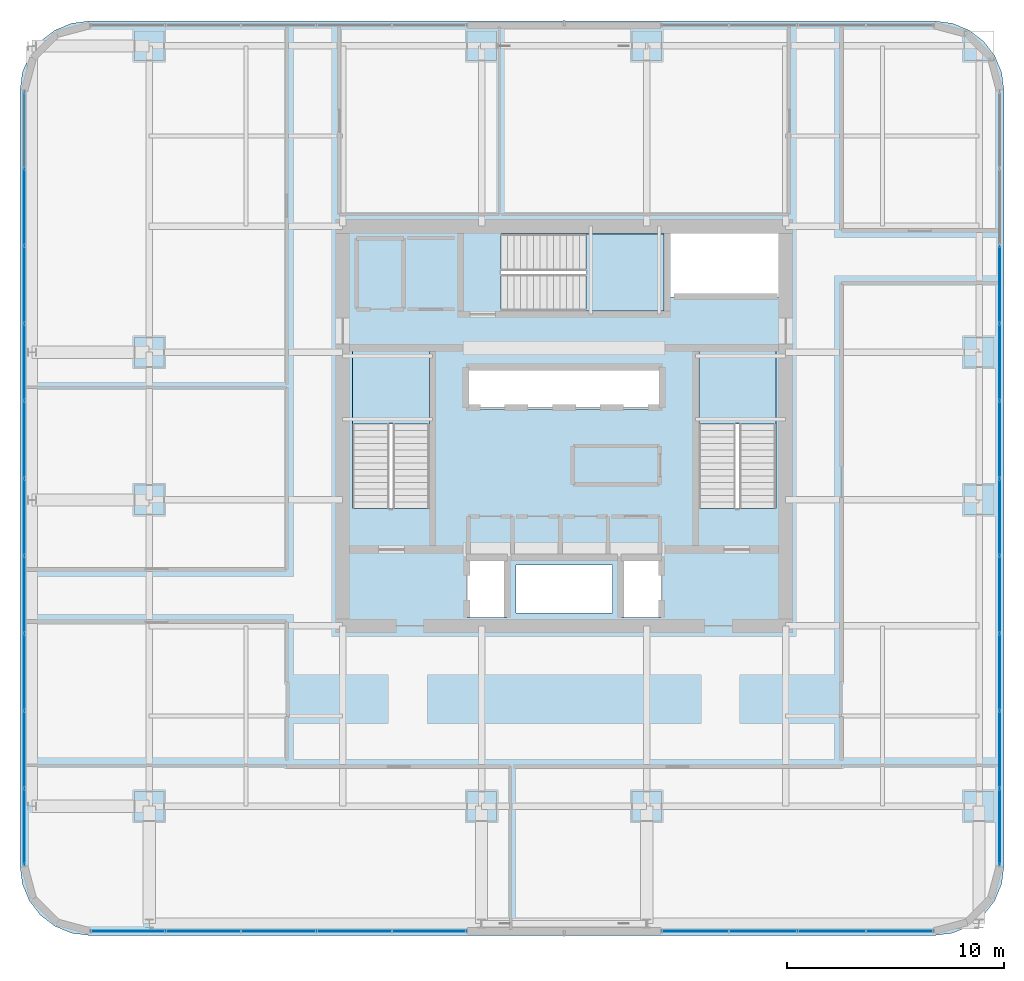
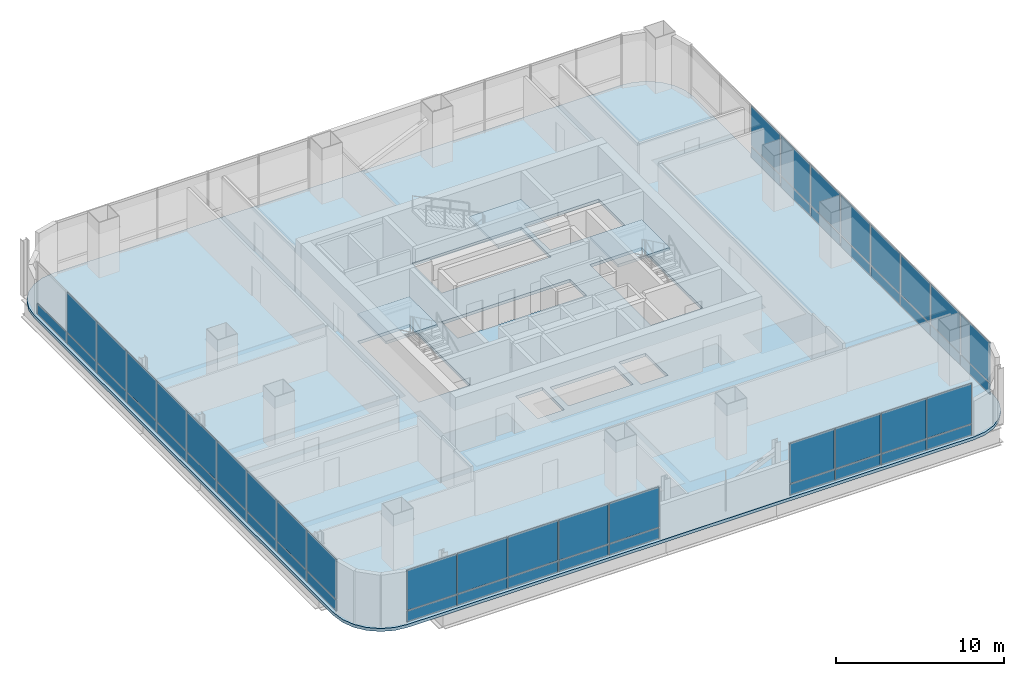
# One storey, part 25 of 38: 53 plates, 4 slabs, 7 elements without a shape of their own.
"""IFC4 building model written with IfcOpenShell, lengths in metres."""

from ifc_helpers import new_model, si_unit, direction, frame, origin, origin_2d, place, context, subcontext, project, spatial, polyline, rectangle, outline, extrude, material, layer, layer_set, type_object, element, aggregate, save


model = new_model("IFC4")

# Units and contexts
model_context = context("Model", 3, precision=1e-05, world=origin(), true_north=direction((0.0, 1.0)))
body_context = subcontext(model_context, "Body", "Model", "MODEL_VIEW")
ifc_project = project(units=[si_unit("LENGTHUNIT", "METRE"), si_unit("AREAUNIT", "SQUARE_METRE"), si_unit("VOLUMEUNIT", "CUBIC_METRE"), si_unit("PLANEANGLEUNIT", "RADIAN"), si_unit("MASSUNIT", "GRAM", prefix="KILO")], contexts=[model_context])

# Site, building, storey
site_placement = place(None, origin())
site = spatial("IfcSite", under=ifc_project, at=site_placement, CompositionType="ELEMENT")
building_placement = place(site_placement, origin())
building = spatial("IfcBuilding", under=site, at=building_placement, Name="Punatoya Terracotta Tower", CompositionType="ELEMENT")
storey_placement = place(building_placement, frame((0.0, 0.0, 188.39990234375)))
storey = spatial("IfcBuildingStorey", under=building, at=storey_placement, Name="L44", CompositionType="ELEMENT", Elevation=188.39990234375)

# Curtain wall, plates
ifc_material_1 = material(Name="Aluminium 6063-T6 + Double Low-E Glass", Category="aluminium")
curtain_wall_type = type_object("IfcCurtainWallType", Name="CW-M2", PredefinedType="NOTDEFINED", material=ifc_material_1)
curtain_wall_1_placement = place(storey_placement, origin())
curtain_wall_1 = element("IfcCurtainWall", 1, at=curtain_wall_1_placement, inside=storey, type_object=curtain_wall_type, Name="L44 Curtain Wall CW-L44-S01-1", PredefinedType="NOTDEFINED")
ifc_material_2 = material(Name="Double Low-E Acoustic Vision Glass", Category="glass")
ifc_layer_1 = layer(ifc_material_2, 0.031982421875)
ifc_layer_set_1 = layer_set([ifc_layer_1], Name="Double Low-E Acoustic Vision Glass")
plate_type_1 = type_object("IfcPlateType", Name="PLT-GLZ-32", PredefinedType="CURTAIN_PANEL", material=ifc_layer_set_1)
plate_1_placement = place(storey_placement, frame((-20.09814453125, -23.25, 0.89013671875), z_axis=(0.0, 0.0, 1.0), x_axis=(1.0, 0.0, 0.0)))
plate_1 = element("IfcPlate", 2, at=plate_1_placement, type_object=plate_type_1, Name="CW-L44-S01-1 Vision Glass Panel 1", PredefinedType="CURTAIN_PANEL", context=body_context, shape_type="SweptSolid", body=[
    extrude(rectangle(XDim=3.392333984375, YDim=0.031982421875, at=origin_2d()), origin(), (0.0, 0.0, 1.0), 2.89990234375),
])
plate_2_placement = place(storey_placement, frame((-16.620849609375, -23.25, 0.89013671875), z_axis=(0.0, 0.0, 1.0), x_axis=(1.0, 0.0, 0.0)))
plate_2 = element("IfcPlate", 3, at=plate_2_placement, type_object=plate_type_1, Name="CW-L44-S01-1 Vision Glass Panel 2", PredefinedType="CURTAIN_PANEL", context=body_context, shape_type="SweptSolid", body=[
    extrude(rectangle(XDim=3.392333984375, YDim=0.031982421875, at=origin_2d()), origin(), (0.0, 0.0, 1.0), 2.89990234375),
])
plate_3_placement = place(storey_placement, frame((-13.143310546875, -23.25, 0.89013671875), z_axis=(0.0, 0.0, 1.0), x_axis=(1.0, 0.0, 0.0)))
plate_3 = element("IfcPlate", 4, at=plate_3_placement, type_object=plate_type_1, Name="CW-L44-S01-1 Vision Glass Panel 3", PredefinedType="CURTAIN_PANEL", context=body_context, shape_type="SweptSolid", body=[
    extrude(rectangle(XDim=3.392333984375, YDim=0.031982421875, at=origin_2d()), origin(), (0.0, 0.0, 1.0), 2.89990234375),
])
plate_4_placement = place(storey_placement, frame((-9.666015625, -23.25, 0.89013671875), z_axis=(0.0, 0.0, 1.0), x_axis=(1.0, 0.0, 0.0)))
plate_4 = element("IfcPlate", 5, at=plate_4_placement, type_object=plate_type_1, Name="CW-L44-S01-1 Vision Glass Panel 4", PredefinedType="CURTAIN_PANEL", context=body_context, shape_type="SweptSolid", body=[
    extrude(rectangle(XDim=3.392333984375, YDim=0.031982421875, at=origin_2d()), origin(), (0.0, 0.0, 1.0), 2.89990234375),
])
plate_5_placement = place(storey_placement, frame((-6.188720703125, -23.25, 0.89013671875), z_axis=(0.0, 0.0, 1.0), x_axis=(1.0, 0.0, 0.0)))
plate_5 = element("IfcPlate", 6, at=plate_5_placement, type_object=plate_type_1, Name="CW-L44-S01-1 Vision Glass Panel 5", PredefinedType="CURTAIN_PANEL", context=body_context, shape_type="SweptSolid", body=[
    extrude(rectangle(XDim=3.392333984375, YDim=0.031982421875, at=origin_2d()), origin(), (0.0, 0.0, 1.0), 2.89990234375),
])

curtain_wall_2_placement = place(storey_placement, origin())
curtain_wall_2 = element("IfcCurtainWall", 7, at=curtain_wall_2_placement, inside=storey, type_object=curtain_wall_type, Name="L44 Curtain Wall CW-L44-S01-2", PredefinedType="NOTDEFINED")
plate_6_placement = place(storey_placement, frame((6.0234375, -23.25, 0.89013671875), z_axis=(0.0, 0.0, 1.0), x_axis=(1.0, 0.0, 0.0)))
plate_6 = element("IfcPlate", 8, at=plate_6_placement, type_object=plate_type_1, Name="CW-L44-S01-2 Vision Glass Panel 1", PredefinedType="CURTAIN_PANEL", context=body_context, shape_type="SweptSolid", body=[
    extrude(rectangle(XDim=3.061767578125, YDim=0.031982421875, at=origin_2d()), origin(), (0.0, 0.0, 1.0), 2.89990234375),
])
plate_7_placement = place(storey_placement, frame((9.170166015625, -23.25, 0.89013671875), z_axis=(0.0, 0.0, 1.0), x_axis=(1.0, 0.0, 0.0)))
plate_7 = element("IfcPlate", 9, at=plate_7_placement, type_object=plate_type_1, Name="CW-L44-S01-2 Vision Glass Panel 2", PredefinedType="CURTAIN_PANEL", context=body_context, shape_type="SweptSolid", body=[
    extrude(rectangle(XDim=3.061767578125, YDim=0.031982421875, at=origin_2d()), origin(), (0.0, 0.0, 1.0), 2.89990234375),
])
plate_8_placement = place(storey_placement, frame((12.31689453125, -23.25, 0.89013671875), z_axis=(0.0, 0.0, 1.0), x_axis=(1.0, 0.0, 0.0)))
plate_8 = element("IfcPlate", 10, at=plate_8_placement, type_object=plate_type_1, Name="CW-L44-S01-2 Vision Glass Panel 3", PredefinedType="CURTAIN_PANEL", context=body_context, shape_type="SweptSolid", body=[
    extrude(rectangle(XDim=3.061767578125, YDim=0.031982421875, at=origin_2d()), origin(), (0.0, 0.0, 1.0), 2.89990234375),
])
plate_9_placement = place(storey_placement, frame((15.46337890625, -23.25, 0.89013671875), z_axis=(0.0, 0.0, 1.0), x_axis=(1.0, 0.0, 0.0)))
plate_9 = element("IfcPlate", 11, at=plate_9_placement, type_object=plate_type_1, Name="CW-L44-S01-2 Vision Glass Panel 4", PredefinedType="CURTAIN_PANEL", context=body_context, shape_type="SweptSolid", body=[
    extrude(rectangle(XDim=3.061767578125, YDim=0.031982421875, at=origin_2d()), origin(), (0.0, 0.0, 1.0), 2.89990234375),
])

curtain_wall_3_placement = place(storey_placement, origin())
curtain_wall_3 = element("IfcCurtainWall", 12, at=curtain_wall_3_placement, inside=storey, type_object=curtain_wall_type, Name="L44 Curtain Wall CW-L44-E05-1", PredefinedType="NOTDEFINED")
plate_10_placement = place(storey_placement, frame((20.050048828125, -18.453125, 0.89013671875), z_axis=(0.0, 0.0, 1.0), x_axis=(0.0, 1.0, 0.0)))
plate_10 = element("IfcPlate", 13, at=plate_10_placement, type_object=plate_type_1, Name="CW-L44-E05-1 Vision Glass Panel 1", PredefinedType="CURTAIN_PANEL", context=body_context, shape_type="SweptSolid", body=[
    extrude(rectangle(XDim=3.482421875, YDim=0.031982421875, at=origin_2d()), origin(), (0.0, 0.0, 1.0), 2.89990234375),
])
plate_11_placement = place(storey_placement, frame((20.050048828125, -14.8857421875, 0.89013671875), z_axis=(0.0, 0.0, 1.0), x_axis=(0.0, 1.0, 0.0)))
plate_11 = element("IfcPlate", 14, at=plate_11_placement, type_object=plate_type_1, Name="CW-L44-E05-1 Vision Glass Panel 2", PredefinedType="CURTAIN_PANEL", context=body_context, shape_type="SweptSolid", body=[
    extrude(rectangle(XDim=3.482421875, YDim=0.031982421875, at=origin_2d()), origin(), (0.0, 0.0, 1.0), 2.89990234375),
])
plate_12_placement = place(storey_placement, frame((20.050048828125, -11.318359375, 0.89013671875), z_axis=(0.0, 0.0, 1.0), x_axis=(0.0, 1.0, 0.0)))
plate_12 = element("IfcPlate", 15, at=plate_12_placement, type_object=plate_type_1, Name="CW-L44-E05-1 Vision Glass Panel 3", PredefinedType="CURTAIN_PANEL", context=body_context, shape_type="SweptSolid", body=[
    extrude(rectangle(XDim=3.482421875, YDim=0.031982421875, at=origin_2d()), origin(), (0.0, 0.0, 1.0), 2.89990234375),
])
plate_13_placement = place(storey_placement, frame((20.050048828125, -7.751220703125, 0.89013671875), z_axis=(0.0, 0.0, 1.0), x_axis=(0.0, 1.0, 0.0)))
plate_13 = element("IfcPlate", 16, at=plate_13_placement, type_object=plate_type_1, Name="CW-L44-E05-1 Vision Glass Panel 4", PredefinedType="CURTAIN_PANEL", context=body_context, shape_type="SweptSolid", body=[
    extrude(rectangle(XDim=3.482421875, YDim=0.031982421875, at=origin_2d()), origin(), (0.0, 0.0, 1.0), 2.89990234375),
])
plate_14_placement = place(storey_placement, frame((20.050048828125, -4.18359375, 0.89013671875), z_axis=(0.0, 0.0, 1.0), x_axis=(0.0, 1.0, 0.0)))
plate_14 = element("IfcPlate", 17, at=plate_14_placement, type_object=plate_type_1, Name="CW-L44-E05-1 Vision Glass Panel 5", PredefinedType="CURTAIN_PANEL", context=body_context, shape_type="SweptSolid", body=[
    extrude(rectangle(XDim=3.482421875, YDim=0.031982421875, at=origin_2d()), origin(), (0.0, 0.0, 1.0), 2.89990234375),
])
plate_15_placement = place(storey_placement, frame((20.050048828125, -0.6162109375, 0.89013671875), z_axis=(0.0, 0.0, 1.0), x_axis=(0.0, 1.0, 0.0)))
plate_15 = element("IfcPlate", 18, at=plate_15_placement, type_object=plate_type_1, Name="CW-L44-E05-1 Vision Glass Panel 6", PredefinedType="CURTAIN_PANEL", context=body_context, shape_type="SweptSolid", body=[
    extrude(rectangle(XDim=3.482421875, YDim=0.031982421875, at=origin_2d()), origin(), (0.0, 0.0, 1.0), 2.89990234375),
])
plate_16_placement = place(storey_placement, frame((20.050048828125, 2.951171875, 0.89013671875), z_axis=(0.0, 0.0, 1.0), x_axis=(0.0, 1.0, 0.0)))
plate_16 = element("IfcPlate", 19, at=plate_16_placement, type_object=plate_type_1, Name="CW-L44-E05-1 Vision Glass Panel 7", PredefinedType="CURTAIN_PANEL", context=body_context, shape_type="SweptSolid", body=[
    extrude(rectangle(XDim=3.482421875, YDim=0.031982421875, at=origin_2d()), origin(), (0.0, 0.0, 1.0), 2.89990234375),
])
plate_17_placement = place(storey_placement, frame((20.050048828125, 6.518310546875, 0.89013671875), z_axis=(0.0, 0.0, 1.0), x_axis=(0.0, 1.0, 0.0)))
plate_17 = element("IfcPlate", 20, at=plate_17_placement, type_object=plate_type_1, Name="CW-L44-E05-1 Vision Glass Panel 8", PredefinedType="CURTAIN_PANEL", context=body_context, shape_type="SweptSolid", body=[
    extrude(rectangle(XDim=3.482421875, YDim=0.031982421875, at=origin_2d()), origin(), (0.0, 0.0, 1.0), 2.89990234375),
])

curtain_wall_4_placement = place(storey_placement, origin())
curtain_wall_4 = element("IfcCurtainWall", 21, at=curtain_wall_4_placement, inside=storey, type_object=curtain_wall_type, Name="L44 Curtain Wall CW-L44-W13-1", PredefinedType="NOTDEFINED")
plate_18_placement = place(storey_placement, frame((-24.85009765625, 10.085693359375, 0.89013671875), z_axis=(0.0, 0.0, 1.0), x_axis=(0.0, -1.0, 0.0)))
plate_18 = element("IfcPlate", 22, at=plate_18_placement, type_object=plate_type_1, Name="CW-L44-W13-1 Vision Glass Panel 2", PredefinedType="CURTAIN_PANEL", context=body_context, shape_type="SweptSolid", body=[
    extrude(rectangle(XDim=3.482421875, YDim=0.031982421875, at=origin_2d()), origin(), (0.0, 0.0, 1.0), 2.89990234375),
])
plate_19_placement = place(storey_placement, frame((-24.85009765625, 6.518310546875, 0.89013671875), z_axis=(0.0, 0.0, 1.0), x_axis=(0.0, -1.0, 0.0)))
plate_19 = element("IfcPlate", 23, at=plate_19_placement, type_object=plate_type_1, Name="CW-L44-W13-1 Vision Glass Panel 3", PredefinedType="CURTAIN_PANEL", context=body_context, shape_type="SweptSolid", body=[
    extrude(rectangle(XDim=3.482421875, YDim=0.031982421875, at=origin_2d()), origin(), (0.0, 0.0, 1.0), 2.89990234375),
])
plate_20_placement = place(storey_placement, frame((-24.85009765625, 2.951171875, 0.89013671875), z_axis=(0.0, 0.0, 1.0), x_axis=(0.0, -1.0, 0.0)))
plate_20 = element("IfcPlate", 24, at=plate_20_placement, type_object=plate_type_1, Name="CW-L44-W13-1 Vision Glass Panel 4", PredefinedType="CURTAIN_PANEL", context=body_context, shape_type="SweptSolid", body=[
    extrude(rectangle(XDim=3.482421875, YDim=0.031982421875, at=origin_2d()), origin(), (0.0, 0.0, 1.0), 2.89990234375),
])
plate_21_placement = place(storey_placement, frame((-24.85009765625, -0.6162109375, 0.89013671875), z_axis=(0.0, 0.0, 1.0), x_axis=(0.0, -1.0, 0.0)))
plate_21 = element("IfcPlate", 25, at=plate_21_placement, type_object=plate_type_1, Name="CW-L44-W13-1 Vision Glass Panel 5", PredefinedType="CURTAIN_PANEL", context=body_context, shape_type="SweptSolid", body=[
    extrude(rectangle(XDim=3.482421875, YDim=0.031982421875, at=origin_2d()), origin(), (0.0, 0.0, 1.0), 2.89990234375),
])
plate_22_placement = place(storey_placement, frame((-24.85009765625, -4.18359375, 0.89013671875), z_axis=(0.0, 0.0, 1.0), x_axis=(0.0, -1.0, 0.0)))
plate_22 = element("IfcPlate", 26, at=plate_22_placement, type_object=plate_type_1, Name="CW-L44-W13-1 Vision Glass Panel 6", PredefinedType="CURTAIN_PANEL", context=body_context, shape_type="SweptSolid", body=[
    extrude(rectangle(XDim=3.482421875, YDim=0.031982421875, at=origin_2d()), origin(), (0.0, 0.0, 1.0), 2.89990234375),
])
plate_23_placement = place(storey_placement, frame((-24.85009765625, -7.751220703125, 0.89013671875), z_axis=(0.0, 0.0, 1.0), x_axis=(0.0, -1.0, 0.0)))
plate_23 = element("IfcPlate", 27, at=plate_23_placement, type_object=plate_type_1, Name="CW-L44-W13-1 Vision Glass Panel 7", PredefinedType="CURTAIN_PANEL", context=body_context, shape_type="SweptSolid", body=[
    extrude(rectangle(XDim=3.482421875, YDim=0.031982421875, at=origin_2d()), origin(), (0.0, 0.0, 1.0), 2.89990234375),
])
plate_24_placement = place(storey_placement, frame((-24.85009765625, -11.318359375, 0.89013671875), z_axis=(0.0, 0.0, 1.0), x_axis=(0.0, -1.0, 0.0)))
plate_24 = element("IfcPlate", 28, at=plate_24_placement, type_object=plate_type_1, Name="CW-L44-W13-1 Vision Glass Panel 8", PredefinedType="CURTAIN_PANEL", context=body_context, shape_type="SweptSolid", body=[
    extrude(rectangle(XDim=3.482421875, YDim=0.031982421875, at=origin_2d()), origin(), (0.0, 0.0, 1.0), 2.89990234375),
])
plate_25_placement = place(storey_placement, frame((-24.85009765625, -14.8857421875, 0.89013671875), z_axis=(0.0, 0.0, 1.0), x_axis=(0.0, -1.0, 0.0)))
plate_25 = element("IfcPlate", 29, at=plate_25_placement, type_object=plate_type_1, Name="CW-L44-W13-1 Vision Glass Panel 9", PredefinedType="CURTAIN_PANEL", context=body_context, shape_type="SweptSolid", body=[
    extrude(rectangle(XDim=3.482421875, YDim=0.031982421875, at=origin_2d()), origin(), (0.0, 0.0, 1.0), 2.89990234375),
])
plate_26_placement = place(storey_placement, frame((-24.85009765625, -18.453125, 0.89013671875), z_axis=(0.0, 0.0, 1.0), x_axis=(0.0, -1.0, 0.0)))
plate_26 = element("IfcPlate", 30, at=plate_26_placement, type_object=plate_type_1, Name="CW-L44-W13-1 Vision Glass Panel 10", PredefinedType="CURTAIN_PANEL", context=body_context, shape_type="SweptSolid", body=[
    extrude(rectangle(XDim=3.482421875, YDim=0.031982421875, at=origin_2d()), origin(), (0.0, 0.0, 1.0), 2.89990234375),
])

# Plate
ifc_material_3 = material(Name="Insulated Terracotta-Backed Spandrel Panel", Category="masonry")
ifc_layer_2 = layer(ifc_material_3, 0.044921875)
ifc_layer_set_2 = layer_set([ifc_layer_2], Name="Insulated Terracotta-Backed Spandrel Panel")
plate_type_2 = type_object("IfcPlateType", Name="PLT-SPN-45", PredefinedType="CURTAIN_PANEL", material=ifc_layer_set_2)
plate_27_placement = place(storey_placement, frame((-20.09814453125, -23.25, 0.0400390625), z_axis=(0.0, 0.0, 1.0), x_axis=(1.0, 0.0, 0.0)))
plate_27 = element("IfcPlate", 31, at=plate_27_placement, type_object=plate_type_2, Name="CW-L44-S01-1 Terracotta Spandrel Panel 1", PredefinedType="CURTAIN_PANEL", context=body_context, shape_type="SweptSolid", body=[
    extrude(rectangle(XDim=3.392333984375, YDim=0.044921875, at=origin_2d()), origin(), (0.0, 0.0, 1.0), 0.77490234375),
])

plate_28_placement = place(storey_placement, frame((-16.620849609375, -23.25, 0.0400390625), z_axis=(0.0, 0.0, 1.0), x_axis=(1.0, 0.0, 0.0)))
plate_28 = element("IfcPlate", 32, at=plate_28_placement, type_object=plate_type_2, Name="CW-L44-S01-1 Terracotta Spandrel Panel 2", PredefinedType="CURTAIN_PANEL", context=body_context, shape_type="SweptSolid", body=[
    extrude(rectangle(XDim=3.392333984375, YDim=0.044921875, at=origin_2d()), origin(), (0.0, 0.0, 1.0), 0.77490234375),
])

plate_29_placement = place(storey_placement, frame((-13.143310546875, -23.25, 0.0400390625), z_axis=(0.0, 0.0, 1.0), x_axis=(1.0, 0.0, 0.0)))
plate_29 = element("IfcPlate", 33, at=plate_29_placement, type_object=plate_type_2, Name="CW-L44-S01-1 Terracotta Spandrel Panel 3", PredefinedType="CURTAIN_PANEL", context=body_context, shape_type="SweptSolid", body=[
    extrude(rectangle(XDim=3.392333984375, YDim=0.044921875, at=origin_2d()), origin(), (0.0, 0.0, 1.0), 0.77490234375),
])

plate_30_placement = place(storey_placement, frame((-9.666015625, -23.25, 0.0400390625), z_axis=(0.0, 0.0, 1.0), x_axis=(1.0, 0.0, 0.0)))
plate_30 = element("IfcPlate", 34, at=plate_30_placement, type_object=plate_type_2, Name="CW-L44-S01-1 Terracotta Spandrel Panel 4", PredefinedType="CURTAIN_PANEL", context=body_context, shape_type="SweptSolid", body=[
    extrude(rectangle(XDim=3.392333984375, YDim=0.044921875, at=origin_2d()), origin(), (0.0, 0.0, 1.0), 0.77490234375),
])

plate_31_placement = place(storey_placement, frame((-6.188720703125, -23.25, 0.0400390625), z_axis=(0.0, 0.0, 1.0), x_axis=(1.0, 0.0, 0.0)))
plate_31 = element("IfcPlate", 35, at=plate_31_placement, type_object=plate_type_2, Name="CW-L44-S01-1 Terracotta Spandrel Panel 5", PredefinedType="CURTAIN_PANEL", context=body_context, shape_type="SweptSolid", body=[
    extrude(rectangle(XDim=3.392333984375, YDim=0.044921875, at=origin_2d()), origin(), (0.0, 0.0, 1.0), 0.77490234375),
])

aggregate(curtain_wall_1, [plate_27, plate_1, plate_28, plate_2, plate_29, plate_3, plate_30, plate_4, plate_31, plate_5])

plate_32_placement = place(storey_placement, frame((6.0234375, -23.25, 0.0400390625), z_axis=(0.0, 0.0, 1.0), x_axis=(1.0, 0.0, 0.0)))
plate_32 = element("IfcPlate", 36, at=plate_32_placement, type_object=plate_type_2, Name="CW-L44-S01-2 Terracotta Spandrel Panel 1", PredefinedType="CURTAIN_PANEL", context=body_context, shape_type="SweptSolid", body=[
    extrude(rectangle(XDim=3.061767578125, YDim=0.044921875, at=origin_2d()), origin(), (0.0, 0.0, 1.0), 0.77490234375),
])

plate_33_placement = place(storey_placement, frame((9.170166015625, -23.25, 0.0400390625), z_axis=(0.0, 0.0, 1.0), x_axis=(1.0, 0.0, 0.0)))
plate_33 = element("IfcPlate", 37, at=plate_33_placement, type_object=plate_type_2, Name="CW-L44-S01-2 Terracotta Spandrel Panel 2", PredefinedType="CURTAIN_PANEL", context=body_context, shape_type="SweptSolid", body=[
    extrude(rectangle(XDim=3.061767578125, YDim=0.044921875, at=origin_2d()), origin(), (0.0, 0.0, 1.0), 0.77490234375),
])

plate_34_placement = place(storey_placement, frame((12.31689453125, -23.25, 0.0400390625), z_axis=(0.0, 0.0, 1.0), x_axis=(1.0, 0.0, 0.0)))
plate_34 = element("IfcPlate", 38, at=plate_34_placement, type_object=plate_type_2, Name="CW-L44-S01-2 Terracotta Spandrel Panel 3", PredefinedType="CURTAIN_PANEL", context=body_context, shape_type="SweptSolid", body=[
    extrude(rectangle(XDim=3.061767578125, YDim=0.044921875, at=origin_2d()), origin(), (0.0, 0.0, 1.0), 0.77490234375),
])

plate_35_placement = place(storey_placement, frame((15.46337890625, -23.25, 0.0400390625), z_axis=(0.0, 0.0, 1.0), x_axis=(1.0, 0.0, 0.0)))
plate_35 = element("IfcPlate", 39, at=plate_35_placement, type_object=plate_type_2, Name="CW-L44-S01-2 Terracotta Spandrel Panel 4", PredefinedType="CURTAIN_PANEL", context=body_context, shape_type="SweptSolid", body=[
    extrude(rectangle(XDim=3.061767578125, YDim=0.044921875, at=origin_2d()), origin(), (0.0, 0.0, 1.0), 0.77490234375),
])

aggregate(curtain_wall_2, [plate_32, plate_6, plate_33, plate_7, plate_34, plate_8, plate_35, plate_9])

plate_36_placement = place(storey_placement, frame((20.050048828125, -18.453125, 0.0400390625), z_axis=(0.0, 0.0, 1.0), x_axis=(0.0, 1.0, 0.0)))
plate_36 = element("IfcPlate", 40, at=plate_36_placement, type_object=plate_type_2, Name="CW-L44-E05-1 Terracotta Spandrel Panel 1", PredefinedType="CURTAIN_PANEL", context=body_context, shape_type="SweptSolid", body=[
    extrude(rectangle(XDim=3.482421875, YDim=0.044921875, at=origin_2d()), origin(), (0.0, 0.0, 1.0), 0.77490234375),
])

plate_37_placement = place(storey_placement, frame((20.050048828125, -14.8857421875, 0.0400390625), z_axis=(0.0, 0.0, 1.0), x_axis=(0.0, 1.0, 0.0)))
plate_37 = element("IfcPlate", 41, at=plate_37_placement, type_object=plate_type_2, Name="CW-L44-E05-1 Terracotta Spandrel Panel 2", PredefinedType="CURTAIN_PANEL", context=body_context, shape_type="SweptSolid", body=[
    extrude(rectangle(XDim=3.482421875, YDim=0.044921875, at=origin_2d()), origin(), (0.0, 0.0, 1.0), 0.77490234375),
])

plate_38_placement = place(storey_placement, frame((20.050048828125, -11.318359375, 0.0400390625), z_axis=(0.0, 0.0, 1.0), x_axis=(0.0, 1.0, 0.0)))
plate_38 = element("IfcPlate", 42, at=plate_38_placement, type_object=plate_type_2, Name="CW-L44-E05-1 Terracotta Spandrel Panel 3", PredefinedType="CURTAIN_PANEL", context=body_context, shape_type="SweptSolid", body=[
    extrude(rectangle(XDim=3.482421875, YDim=0.044921875, at=origin_2d()), origin(), (0.0, 0.0, 1.0), 0.77490234375),
])

plate_39_placement = place(storey_placement, frame((20.050048828125, -7.751220703125, 0.0400390625), z_axis=(0.0, 0.0, 1.0), x_axis=(0.0, 1.0, 0.0)))
plate_39 = element("IfcPlate", 43, at=plate_39_placement, type_object=plate_type_2, Name="CW-L44-E05-1 Terracotta Spandrel Panel 4", PredefinedType="CURTAIN_PANEL", context=body_context, shape_type="SweptSolid", body=[
    extrude(rectangle(XDim=3.482421875, YDim=0.044921875, at=origin_2d()), origin(), (0.0, 0.0, 1.0), 0.77490234375),
])

plate_40_placement = place(storey_placement, frame((20.050048828125, -4.18359375, 0.0400390625), z_axis=(0.0, 0.0, 1.0), x_axis=(0.0, 1.0, 0.0)))
plate_40 = element("IfcPlate", 44, at=plate_40_placement, type_object=plate_type_2, Name="CW-L44-E05-1 Terracotta Spandrel Panel 5", PredefinedType="CURTAIN_PANEL", context=body_context, shape_type="SweptSolid", body=[
    extrude(rectangle(XDim=3.482421875, YDim=0.044921875, at=origin_2d()), origin(), (0.0, 0.0, 1.0), 0.77490234375),
])

plate_41_placement = place(storey_placement, frame((20.050048828125, -0.6162109375, 0.0400390625), z_axis=(0.0, 0.0, 1.0), x_axis=(0.0, 1.0, 0.0)))
plate_41 = element("IfcPlate", 45, at=plate_41_placement, type_object=plate_type_2, Name="CW-L44-E05-1 Terracotta Spandrel Panel 6", PredefinedType="CURTAIN_PANEL", context=body_context, shape_type="SweptSolid", body=[
    extrude(rectangle(XDim=3.482421875, YDim=0.044921875, at=origin_2d()), origin(), (0.0, 0.0, 1.0), 0.77490234375),
])

plate_42_placement = place(storey_placement, frame((20.050048828125, 2.951171875, 0.0400390625), z_axis=(0.0, 0.0, 1.0), x_axis=(0.0, 1.0, 0.0)))
plate_42 = element("IfcPlate", 46, at=plate_42_placement, type_object=plate_type_2, Name="CW-L44-E05-1 Terracotta Spandrel Panel 7", PredefinedType="CURTAIN_PANEL", context=body_context, shape_type="SweptSolid", body=[
    extrude(rectangle(XDim=3.482421875, YDim=0.044921875, at=origin_2d()), origin(), (0.0, 0.0, 1.0), 0.77490234375),
])

plate_43_placement = place(storey_placement, frame((20.050048828125, 6.518310546875, 0.0400390625), z_axis=(0.0, 0.0, 1.0), x_axis=(0.0, 1.0, 0.0)))
plate_43 = element("IfcPlate", 47, at=plate_43_placement, type_object=plate_type_2, Name="CW-L44-E05-1 Terracotta Spandrel Panel 8", PredefinedType="CURTAIN_PANEL", context=body_context, shape_type="SweptSolid", body=[
    extrude(rectangle(XDim=3.482421875, YDim=0.044921875, at=origin_2d()), origin(), (0.0, 0.0, 1.0), 0.77490234375),
])

aggregate(curtain_wall_3, [plate_36, plate_10, plate_37, plate_11, plate_38, plate_12, plate_39, plate_13, plate_40, plate_14, plate_41, plate_15, plate_42, plate_16, plate_43, plate_17])

plate_44_placement = place(storey_placement, frame((-24.85009765625, 13.6533203125, 0.0400390625), z_axis=(0.0, 0.0, 1.0), x_axis=(0.0, -1.0, 0.0)))
plate_44 = element("IfcPlate", 48, at=plate_44_placement, type_object=plate_type_2, Name="CW-L44-W13-1 Terracotta Spandrel Panel 1", PredefinedType="CURTAIN_PANEL", context=body_context, shape_type="SweptSolid", body=[
    extrude(rectangle(XDim=3.482421875, YDim=0.044921875, at=origin_2d()), origin(), (0.0, 0.0, 1.0), 0.77490234375),
])

plate_45_placement = place(storey_placement, frame((-24.85009765625, 10.085693359375, 0.0400390625), z_axis=(0.0, 0.0, 1.0), x_axis=(0.0, -1.0, 0.0)))
plate_45 = element("IfcPlate", 49, at=plate_45_placement, type_object=plate_type_2, Name="CW-L44-W13-1 Terracotta Spandrel Panel 2", PredefinedType="CURTAIN_PANEL", context=body_context, shape_type="SweptSolid", body=[
    extrude(rectangle(XDim=3.482421875, YDim=0.044921875, at=origin_2d()), origin(), (0.0, 0.0, 1.0), 0.77490234375),
])

plate_46_placement = place(storey_placement, frame((-24.85009765625, 6.518310546875, 0.0400390625), z_axis=(0.0, 0.0, 1.0), x_axis=(0.0, -1.0, 0.0)))
plate_46 = element("IfcPlate", 50, at=plate_46_placement, type_object=plate_type_2, Name="CW-L44-W13-1 Terracotta Spandrel Panel 3", PredefinedType="CURTAIN_PANEL", context=body_context, shape_type="SweptSolid", body=[
    extrude(rectangle(XDim=3.482421875, YDim=0.044921875, at=origin_2d()), origin(), (0.0, 0.0, 1.0), 0.77490234375),
])

plate_47_placement = place(storey_placement, frame((-24.85009765625, 2.951171875, 0.0400390625), z_axis=(0.0, 0.0, 1.0), x_axis=(0.0, -1.0, 0.0)))
plate_47 = element("IfcPlate", 51, at=plate_47_placement, type_object=plate_type_2, Name="CW-L44-W13-1 Terracotta Spandrel Panel 4", PredefinedType="CURTAIN_PANEL", context=body_context, shape_type="SweptSolid", body=[
    extrude(rectangle(XDim=3.482421875, YDim=0.044921875, at=origin_2d()), origin(), (0.0, 0.0, 1.0), 0.77490234375),
])

plate_48_placement = place(storey_placement, frame((-24.85009765625, -0.6162109375, 0.0400390625), z_axis=(0.0, 0.0, 1.0), x_axis=(0.0, -1.0, 0.0)))
plate_48 = element("IfcPlate", 52, at=plate_48_placement, type_object=plate_type_2, Name="CW-L44-W13-1 Terracotta Spandrel Panel 5", PredefinedType="CURTAIN_PANEL", context=body_context, shape_type="SweptSolid", body=[
    extrude(rectangle(XDim=3.482421875, YDim=0.044921875, at=origin_2d()), origin(), (0.0, 0.0, 1.0), 0.77490234375),
])

plate_49_placement = place(storey_placement, frame((-24.85009765625, -4.18359375, 0.0400390625), z_axis=(0.0, 0.0, 1.0), x_axis=(0.0, -1.0, 0.0)))
plate_49 = element("IfcPlate", 53, at=plate_49_placement, type_object=plate_type_2, Name="CW-L44-W13-1 Terracotta Spandrel Panel 6", PredefinedType="CURTAIN_PANEL", context=body_context, shape_type="SweptSolid", body=[
    extrude(rectangle(XDim=3.482421875, YDim=0.044921875, at=origin_2d()), origin(), (0.0, 0.0, 1.0), 0.77490234375),
])

plate_50_placement = place(storey_placement, frame((-24.85009765625, -7.751220703125, 0.0400390625), z_axis=(0.0, 0.0, 1.0), x_axis=(0.0, -1.0, 0.0)))
plate_50 = element("IfcPlate", 54, at=plate_50_placement, type_object=plate_type_2, Name="CW-L44-W13-1 Terracotta Spandrel Panel 7", PredefinedType="CURTAIN_PANEL", context=body_context, shape_type="SweptSolid", body=[
    extrude(rectangle(XDim=3.482421875, YDim=0.044921875, at=origin_2d()), origin(), (0.0, 0.0, 1.0), 0.77490234375),
])

plate_51_placement = place(storey_placement, frame((-24.85009765625, -11.318359375, 0.0400390625), z_axis=(0.0, 0.0, 1.0), x_axis=(0.0, -1.0, 0.0)))
plate_51 = element("IfcPlate", 55, at=plate_51_placement, type_object=plate_type_2, Name="CW-L44-W13-1 Terracotta Spandrel Panel 8", PredefinedType="CURTAIN_PANEL", context=body_context, shape_type="SweptSolid", body=[
    extrude(rectangle(XDim=3.482421875, YDim=0.044921875, at=origin_2d()), origin(), (0.0, 0.0, 1.0), 0.77490234375),
])

plate_52_placement = place(storey_placement, frame((-24.85009765625, -14.8857421875, 0.0400390625), z_axis=(0.0, 0.0, 1.0), x_axis=(0.0, -1.0, 0.0)))
plate_52 = element("IfcPlate", 56, at=plate_52_placement, type_object=plate_type_2, Name="CW-L44-W13-1 Terracotta Spandrel Panel 9", PredefinedType="CURTAIN_PANEL", context=body_context, shape_type="SweptSolid", body=[
    extrude(rectangle(XDim=3.482421875, YDim=0.044921875, at=origin_2d()), origin(), (0.0, 0.0, 1.0), 0.77490234375),
])

plate_53_placement = place(storey_placement, frame((-24.85009765625, -18.453125, 0.0400390625), z_axis=(0.0, 0.0, 1.0), x_axis=(0.0, -1.0, 0.0)))
plate_53 = element("IfcPlate", 57, at=plate_53_placement, type_object=plate_type_2, Name="CW-L44-W13-1 Terracotta Spandrel Panel 10", PredefinedType="CURTAIN_PANEL", context=body_context, shape_type="SweptSolid", body=[
    extrude(rectangle(XDim=3.482421875, YDim=0.044921875, at=origin_2d()), origin(), (0.0, 0.0, 1.0), 0.77490234375),
])

aggregate(curtain_wall_4, [plate_44, plate_45, plate_18, plate_46, plate_19, plate_47, plate_20, plate_48, plate_21, plate_49, plate_22, plate_50, plate_23, plate_51, plate_24, plate_52, plate_25, plate_53, plate_26])

# Stair, slab
ifc_material_4 = material(Name="Concrete C40/50", Category="concrete")
stair_type_1 = type_object("IfcStairType", Name="STR-TER-1450", PredefinedType="HALF_TURN_STAIR", material=ifc_material_4)
stair_1_placement = place(storey_placement, origin())
stair_1 = element("IfcStair", 58, at=stair_1_placement, inside=storey, type_object=stair_type_1, Name="L44 Protected Core Exit Stair ST-3", PredefinedType="HALF_TURN_STAIR")
ifc_layer_3 = layer(ifc_material_4, 0.1650390625)
ifc_layer_set_3 = layer_set([ifc_layer_3], Name="Concrete C40/50")
slab_type_1 = type_object("IfcSlabType", Name="SLB-LND-165", PredefinedType="LANDING", material=ifc_layer_set_3)
slab_1_placement = place(storey_placement, frame((0.0, 0.0, 1.8251953125)))
slab_1 = element("IfcSlab", 59, at=slab_1_placement, type_object=slab_type_1, Name="ST-3 landing 1", PredefinedType="LANDING", context=body_context, shape_type="SweptSolid", body=[
    extrude(outline(polyline([(1.0, 5.300048828125), (4.60009765625, 5.300048828125), (4.60009765625, 8.85009765625), (1.0, 8.85009765625), (1.0, 5.300048828125)])), origin(), (0.0, 0.0, 1.0), 0.199951171875),
])
aggregate(stair_1, [slab_1])

stair_type_2 = type_object("IfcStairType", Name="STR-CORE-1550", PredefinedType="HALF_TURN_STAIR", material=ifc_material_4)
stair_2_placement = place(storey_placement, origin())
stair_2 = element("IfcStair", 60, at=stair_2_placement, inside=storey, type_object=stair_type_2, Name="L44 Protected Core Exit Stair ST-1", PredefinedType="HALF_TURN_STAIR")
ifc_layer_4 = layer(ifc_material_4, 0.179931640625)
ifc_layer_set_4 = layer_set([ifc_layer_4], Name="Concrete C40/50")
slab_type_2 = type_object("IfcSlabType", Name="SLB-LND-180", PredefinedType="LANDING", material=ifc_layer_set_4)
slab_2_placement = place(storey_placement, frame((0.0, 0.0, 1.8251953125)))
slab_2 = element("IfcSlab", 61, at=slab_2_placement, type_object=slab_type_2, Name="ST-1 landing 1", PredefinedType="LANDING", context=body_context, shape_type="SweptSolid", body=[
    extrude(outline(polyline([(-6.199951171875, 0.10009765625), (-6.199951171875, 3.449951171875), (-9.75, 3.449951171875), (-9.75, 0.10009765625), (-6.199951171875, 0.10009765625)])), origin(), (0.0, 0.0, 1.0), 0.199951171875),
])
aggregate(stair_2, [slab_2])

stair_type_3 = type_object("IfcStairType", Name="STR-LOB-1650", PredefinedType="HALF_TURN_STAIR", material=ifc_material_4)
stair_3_placement = place(storey_placement, origin())
stair_3 = element("IfcStair", 62, at=stair_3_placement, inside=storey, type_object=stair_type_3, Name="L44 Protected Core Exit Stair ST-2", PredefinedType="HALF_TURN_STAIR")
slab_3_placement = place(storey_placement, frame((0.0, 0.0, 1.8251953125)))
slab_3 = element("IfcSlab", 63, at=slab_3_placement, type_object=slab_type_2, Name="ST-2 landing 1", PredefinedType="LANDING", context=body_context, shape_type="SweptSolid", body=[
    extrude(outline(polyline([(9.75, 0.10009765625), (9.75, 3.449951171875), (6.199951171875, 3.449951171875), (6.199951171875, 0.10009765625), (9.75, 0.10009765625)])), origin(), (0.0, 0.0, 1.0), 0.199951171875),
])
aggregate(stair_3, [slab_3])

# Slab
ifc_layer_5 = layer(ifc_material_4, 0.219970703125)
ifc_layer_set_5 = layer_set([ifc_layer_5], Name="Concrete C40/50")
slab_type_3 = type_object("IfcSlabType", Name="SLB-OFF-220", PredefinedType="FLOOR", material=ifc_layer_set_5)
slab_4_placement = place(storey_placement, frame((0.0, 0.0, -0.219970703125)))
element("IfcSlab", 64, at=slab_4_placement, inside=storey, type_object=slab_type_3, Name="L44 Structural Floor Slab", PredefinedType="FLOOR", context=body_context, shape_type="SweptSolid", body=[
    extrude(outline(polyline([(-21.85009765625, -23.449951171875), (-22.67822265625, -23.341064453125), (-23.449951171875, -23.021240234375), (-24.11279296875, -22.5126953125), (-24.621337890625, -21.85009765625), (-24.94091796875, -21.078125), (-25.050048828125, -20.25), (-25.050048828125, 15.449951171875), (-24.94091796875, 16.2783203125), (-24.621337890625, 17.050048828125), (-24.11279296875, 17.712646484375), (-23.449951171875, 18.22119140625), (-22.67822265625, 18.541015625), (-21.85009765625, 18.64990234375), (17.050048828125, 18.64990234375), (17.878173828125, 18.541015625), (18.64990234375, 18.22119140625), (19.312744140625, 17.712646484375), (19.8212890625, 17.050048828125), (20.14111328125, 16.2783203125), (20.25, 15.449951171875), (20.25, -20.25), (20.14111328125, -21.078125), (19.8212890625, -21.85009765625), (19.312744140625, -22.5126953125), (18.64990234375, -23.021240234375), (17.878173828125, -23.341064453125), (17.050048828125, -23.449951171875), (-21.85009765625, -23.449951171875)]), holes=[polyline([(-2.6298828125, -6.179931640625), (-4.469970703125, -6.179931640625), (-4.469970703125, -8.820068359375), (-2.6298828125, -8.820068359375), (-2.6298828125, -6.179931640625)]), polyline([(0.02001953125, -8.594970703125), (2.219970703125, -8.594970703125), (2.219970703125, -6.405029296875), (0.02001953125, -6.405029296875), (-0.02001953125, -6.405029296875), (-2.219970703125, -6.405029296875), (-2.219970703125, -8.594970703125), (-0.02001953125, -8.594970703125), (0.02001953125, -8.594970703125)]), polyline([(-6.199951171875, 3.449951171875), (-9.75, 3.449951171875), (-9.75, -3.79931640625), (-6.199951171875, -3.79931640625), (-6.199951171875, 3.449951171875)]), polyline([(-4.419921875, 2.719970703125), (-4.419921875, 0.780029296875), (-2.219970703125, 0.780029296875), (-2.179931640625, 0.780029296875), (-0.02001953125, 0.780029296875), (0.02001953125, 0.780029296875), (2.179931640625, 0.780029296875), (2.219970703125, 0.780029296875), (4.419921875, 0.780029296875), (4.419921875, 2.719970703125), (2.219970703125, 2.719970703125), (2.179931640625, 2.719970703125), (0.02001953125, 2.719970703125), (-0.02001953125, 2.719970703125), (-2.179931640625, 2.719970703125), (-2.219970703125, 2.719970703125), (-4.419921875, 2.719970703125)]), polyline([(4.60009765625, 5.300048828125), (4.60009765625, 8.85009765625), (-2.899169921875, 8.85009765625), (-2.899169921875, 5.300048828125), (4.60009765625, 5.300048828125)]), polyline([(4.469970703125, -8.820068359375), (4.469970703125, -6.179931640625), (2.6298828125, -6.179931640625), (2.6298828125, -8.820068359375), (4.469970703125, -8.820068359375)]), polyline([(9.75, 3.449951171875), (6.199951171875, 3.449951171875), (6.199951171875, -3.79931640625), (9.75, -3.79931640625), (9.75, 3.449951171875)]), polyline([(10.050048828125, 5.949951171875), (10.050048828125, 9.050048828125), (4.89990234375, 9.050048828125), (4.89990234375, 5.949951171875), (10.050048828125, 5.949951171875)])]), origin(), (0.0, 0.0, 1.0), 0.219970703125),
])

save(model, "model.ifc")
